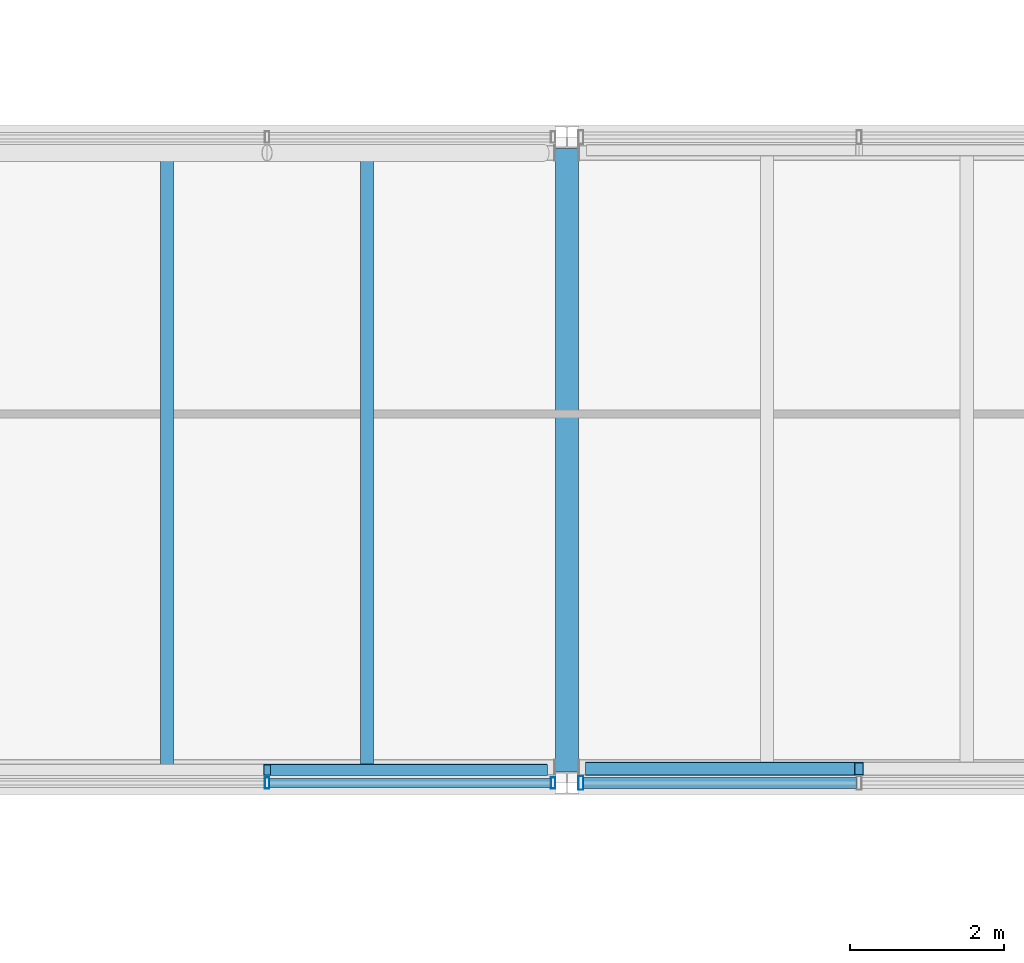
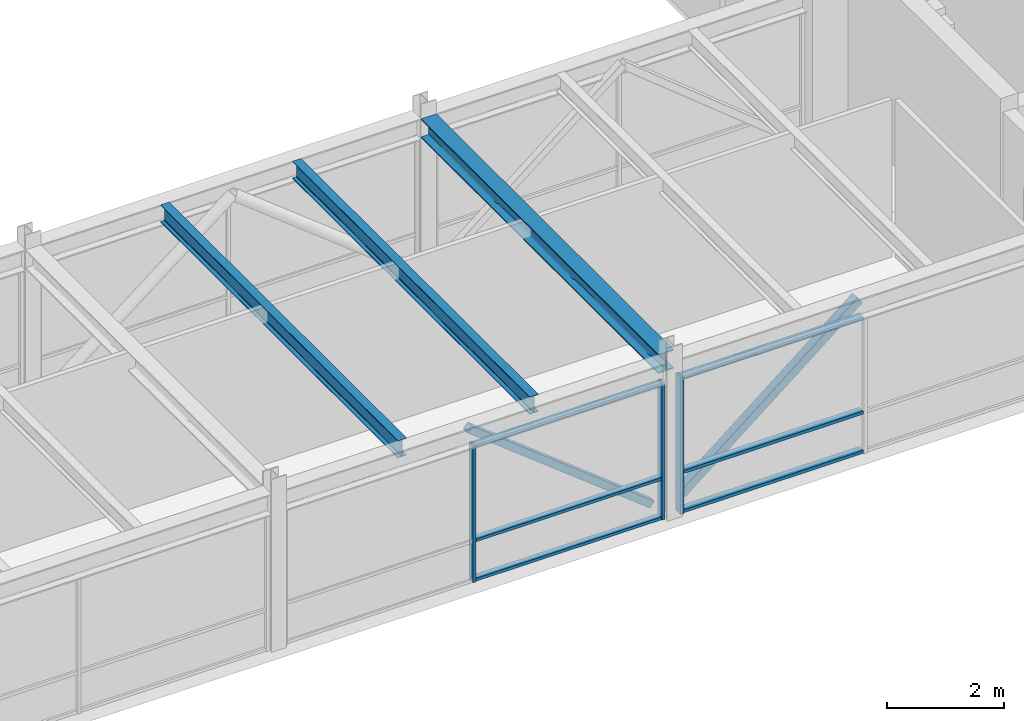
# One storey, part 23 of 49: 11 members, 3 beams, 2 elements without a shape of their own.
"""IFC4 building model written with IfcOpenShell, lengths in metres."""

from ifc_helpers import new_model, si_unit, direction, frame, origin, origin_2d, place, context, subcontext, project, spatial, hollow_rectangle, i_section, extrude, material, material_profile, profile_set, type_object, element, aggregate, save


model = new_model("IFC4")

# Units and contexts
model_context = context("Model", 3, precision=1e-05, world=origin(), true_north=direction((0.0, 1.0)))
body_context = subcontext(model_context, "Body", "Model", "MODEL_VIEW")
ifc_project = project(units=[si_unit("LENGTHUNIT", "METRE"), si_unit("AREAUNIT", "SQUARE_METRE"), si_unit("VOLUMEUNIT", "CUBIC_METRE"), si_unit("PLANEANGLEUNIT", "RADIAN"), si_unit("MASSUNIT", "GRAM", prefix="KILO"), si_unit("THERMODYNAMICTEMPERATUREUNIT", "KELVIN"), si_unit("POWERUNIT", "WATT")], contexts=[model_context])

# Site, building, storey
site_placement = place(None, origin())
site = spatial("IfcSite", under=ifc_project, at=site_placement, CompositionType="ELEMENT")
building_placement = place(site_placement, origin())
building = spatial("IfcBuilding", under=site, at=building_placement, Name="Srebrne Nadtorze General Hospital", CompositionType="ELEMENT")
storey_placement = place(building_placement, frame((0.0, 0.0, 26.10009765625)))
storey = spatial("IfcBuildingStorey", under=building, at=storey_placement, Name="L06", CompositionType="ELEMENT", Elevation=26.10009765625)

# Beam
ifc_material_1 = material(Name="Steel S355J2", Category="steel")
ifc_material_profile_1 = material_profile(ifc_material_1, i_section(OverallWidth=0.300048828125, OverallDepth=0.39990234375, WebThickness=0.013427734375, FlangeThickness=0.02392578125, FilletRadius=0.027099609375, at=origin_2d()), Name="HEB-400")
ifc_profile_set_1 = profile_set([ifc_material_profile_1], Name="Steel S355J2")
beam_type_1 = type_object("IfcBeamType", Name="Courtyard bridge girder HEB 400", PredefinedType="BEAM", material=ifc_profile_set_1)
beam_placement = place(storey_placement, frame((93.60009765625, 50.550048828125, 3.099853515625), z_axis=(0.0, 1.0, 0.0), x_axis=(-1.0, 0.0, 0.0)))
element("IfcBeam", 1, at=beam_placement, inside=storey, type_object=beam_type_1, Name="Beam BM-L06-Y-1221", PredefinedType="BEAM", context=body_context, shape_type="SweptSolid", body=[
    extrude(i_section(OverallWidth=0.300048828125, OverallDepth=0.39990234375, WebThickness=0.013427734375, FlangeThickness=0.02392578125, FilletRadius=0.027099609375, at=origin_2d()), origin(), (0.0, 0.0, 1.0), 8.099853515625),
])

# Curtain wall, members
ifc_material_2 = material(Name="Anodised Aluminium", Category="aluminium")
curtain_wall_type_1 = type_object("IfcCurtainWallType", Name="Bridge curtain wall 7500x2850", PredefinedType="NOTDEFINED", material=ifc_material_2)
curtain_wall_1_placement = place(storey_placement, origin())
curtain_wall_1 = element("IfcCurtainWall", 2, at=curtain_wall_1_placement, inside=storey, type_object=curtain_wall_type_1, Name="Curtain wall CW-142", PredefinedType="NOTDEFINED")
ifc_material_3 = material(Name="Anodised Aluminium", Category="aluminium")
ifc_material_profile_2 = material_profile(ifc_material_3, hollow_rectangle(XDim=0.06005859375, YDim=0.14990234375, WallThickness=0.00390625, at=origin_2d()), Name="AL-MUL-60x150")
ifc_profile_set_2 = profile_set([ifc_material_profile_2], Name="Anodised Aluminium")
member_type_1 = type_object("IfcMemberType", Name="Curtain mullion 60x150", PredefinedType="MULLION", material=ifc_profile_set_2)
member_1_placement = place(storey_placement, frame((89.699951171875, 50.39990234375, 0.0), z_axis=(0.0, 0.0, 1.0), x_axis=(1.0, 0.0, 0.0)))
member_1 = element("IfcMember", 3, at=member_1_placement, type_object=member_type_1, Name="CW-142 mullion 2", PredefinedType="MULLION", context=body_context, shape_type="SweptSolid", body=[
    extrude(hollow_rectangle(XDim=0.06005859375, YDim=0.14990234375, WallThickness=0.00390625, at=origin_2d()), origin(), (0.0, 0.0, 1.0), 2.849853515625),
])
member_2_placement = place(storey_placement, frame((93.419921875, 50.39990234375, 0.0), z_axis=(0.0, 0.0, 1.0), x_axis=(1.0, 0.0, 0.0)))
member_2 = element("IfcMember", 4, at=member_2_placement, type_object=member_type_1, Name="CW-142 mullion 3", PredefinedType="MULLION", context=body_context, shape_type="SweptSolid", body=[
    extrude(hollow_rectangle(XDim=0.06005859375, YDim=0.14990234375, WallThickness=0.00390625, at=origin_2d()), origin(), (0.0, 0.0, 1.0), 2.849853515625),
])

# Curtain wall, member
ifc_material_4 = material(Name="Anodised Aluminium", Category="aluminium")
curtain_wall_type_2 = type_object("IfcCurtainWallType", Name="Bridge curtain wall 7300x2850", PredefinedType="NOTDEFINED", material=ifc_material_4)
curtain_wall_2_placement = place(storey_placement, origin())
curtain_wall_2 = element("IfcCurtainWall", 5, at=curtain_wall_2_placement, inside=storey, type_object=curtain_wall_type_2, Name="Curtain wall CW-143", PredefinedType="NOTDEFINED")
ifc_material_5 = material(Name="Anodised Aluminium", Category="aluminium")
ifc_material_profile_3 = material_profile(ifc_material_5, hollow_rectangle(XDim=0.06494140625, YDim=0.179931640625, WallThickness=0.00390625, at=origin_2d()), Name="AL-MUL-65x180")
ifc_profile_set_3 = profile_set([ifc_material_profile_3], Name="Anodised Aluminium")
member_type_2 = type_object("IfcMemberType", Name="Curtain mullion 65x180", PredefinedType="MULLION", material=ifc_profile_set_3)
member_3_placement = place(storey_placement, frame((93.782470703125, 50.39990234375, 0.0), z_axis=(0.0, 0.0, 1.0), x_axis=(1.0, 0.0, 0.0)))
member_3 = element("IfcMember", 6, at=member_3_placement, type_object=member_type_2, Name="CW-143 mullion 1", PredefinedType="MULLION", context=body_context, shape_type="SweptSolid", body=[
    extrude(hollow_rectangle(XDim=0.06494140625, YDim=0.179931640625, WallThickness=0.00390625, at=origin_2d()), origin(), (0.0, 0.0, 1.0), 2.849853515625),
])

# Member
ifc_material_6 = material(Name="Anodised Aluminium", Category="aluminium")
ifc_material_profile_4 = material_profile(ifc_material_6, hollow_rectangle(XDim=0.06005859375, YDim=0.1201171875, WallThickness=0.00390625, at=origin_2d()), Name="AL-TRN-60x120")
ifc_profile_set_4 = profile_set([ifc_material_profile_4], Name="Anodised Aluminium")
member_type_3 = type_object("IfcMemberType", Name="Curtain transom 60x120", PredefinedType="USERDEFINED", material=ifc_profile_set_4)
member_4_placement = place(storey_placement, frame((89.72998046875, 50.39990234375, 0.02978515625), z_axis=(1.0, 0.0, 0.0), x_axis=(0.0, 0.0, 1.0)))
member_4 = element("IfcMember", 7, at=member_4_placement, type_object=member_type_3, Name="CW-142 transom 2.1", ObjectType="TRANSOM", PredefinedType="USERDEFINED", context=body_context, shape_type="SweptSolid", body=[
    extrude(hollow_rectangle(XDim=0.06005859375, YDim=0.1201171875, WallThickness=0.00390625, at=origin_2d()), origin(), (0.0, 0.0, 1.0), 3.659912109375),
])

member_5_placement = place(storey_placement, frame((89.72998046875, 50.39990234375, 0.849853515625), z_axis=(1.0, 0.0, 0.0), x_axis=(0.0, 0.0, 1.0)))
member_5 = element("IfcMember", 8, at=member_5_placement, type_object=member_type_3, Name="CW-142 transom 2.2", ObjectType="TRANSOM", PredefinedType="USERDEFINED", context=body_context, shape_type="SweptSolid", body=[
    extrude(hollow_rectangle(XDim=0.06005859375, YDim=0.1201171875, WallThickness=0.00390625, at=origin_2d()), origin(), (0.0, 0.0, 1.0), 3.659912109375),
])

member_6_placement = place(storey_placement, frame((89.72998046875, 50.39990234375, 2.81982421875), z_axis=(1.0, 0.0, 0.0), x_axis=(0.0, 0.0, 1.0)))
member_6 = element("IfcMember", 9, at=member_6_placement, type_object=member_type_3, Name="CW-142 transom 2.3", ObjectType="TRANSOM", PredefinedType="USERDEFINED", context=body_context, shape_type="SweptSolid", body=[
    extrude(hollow_rectangle(XDim=0.06005859375, YDim=0.1201171875, WallThickness=0.00390625, at=origin_2d()), origin(), (0.0, 0.0, 1.0), 3.659912109375),
])

aggregate(curtain_wall_1, [member_1, member_2, member_4, member_5, member_6])

ifc_material_7 = material(Name="Anodised Aluminium", Category="aluminium")
ifc_material_profile_5 = material_profile(ifc_material_7, hollow_rectangle(XDim=0.06494140625, YDim=0.139892578125, WallThickness=0.00390625, at=origin_2d()), Name="AL-TRN-65x140")
ifc_profile_set_5 = profile_set([ifc_material_profile_5], Name="Anodised Aluminium")
member_type_4 = type_object("IfcMemberType", Name="Curtain transom 65x140", PredefinedType="USERDEFINED", material=ifc_profile_set_5)
member_7_placement = place(storey_placement, frame((93.81494140625, 50.39990234375, 0.032470703125), z_axis=(1.0, 0.0, 0.0), x_axis=(0.0, 0.0, 1.0)))
member_7 = element("IfcMember", 10, at=member_7_placement, type_object=member_type_4, Name="CW-143 transom 1.1", ObjectType="TRANSOM", PredefinedType="USERDEFINED", context=body_context, shape_type="SweptSolid", body=[
    extrude(hollow_rectangle(XDim=0.06494140625, YDim=0.139892578125, WallThickness=0.00390625, at=origin_2d()), origin(), (0.0, 0.0, 1.0), 3.552490234375),
])

member_8_placement = place(storey_placement, frame((93.81494140625, 50.39990234375, 0.849853515625), z_axis=(1.0, 0.0, 0.0), x_axis=(0.0, 0.0, 1.0)))
member_8 = element("IfcMember", 11, at=member_8_placement, type_object=member_type_4, Name="CW-143 transom 1.2", ObjectType="TRANSOM", PredefinedType="USERDEFINED", context=body_context, shape_type="SweptSolid", body=[
    extrude(hollow_rectangle(XDim=0.06494140625, YDim=0.139892578125, WallThickness=0.00390625, at=origin_2d()), origin(), (0.0, 0.0, 1.0), 3.552490234375),
])

member_9_placement = place(storey_placement, frame((93.81494140625, 50.39990234375, 2.8173828125), z_axis=(1.0, 0.0, 0.0), x_axis=(0.0, 0.0, 1.0)))
member_9 = element("IfcMember", 12, at=member_9_placement, type_object=member_type_4, Name="CW-143 transom 1.3", ObjectType="TRANSOM", PredefinedType="USERDEFINED", context=body_context, shape_type="SweptSolid", body=[
    extrude(hollow_rectangle(XDim=0.06494140625, YDim=0.139892578125, WallThickness=0.00390625, at=origin_2d()), origin(), (0.0, 0.0, 1.0), 3.552490234375),
])

aggregate(curtain_wall_2, [member_3, member_7, member_8, member_9])

# Beams
ifc_material_8 = material(Name="Steel S355J2", Category="steel")
ifc_material_profile_6 = material_profile(ifc_material_8, i_section(OverallWidth=0.169921875, OverallDepth=0.360107421875, WebThickness=0.008056640625, FlangeThickness=0.0126953125, FilletRadius=0.01806640625, at=origin_2d()), Name="IPE-360")
ifc_profile_set_6 = profile_set([ifc_material_profile_6], Name="Steel S355J2")
beam_type_2 = type_object("IfcBeamType", Name="Deck joist IPE 360", PredefinedType="JOIST", material=ifc_profile_set_6)
for number, where, z_axis, x_axis, name in (
    (13, (88.39990234375, 50.544921875, 3.119873046875), (0.0, 1.0, 0.0), (-1.0, 0.0, 0.0), "Clinical courtyard bridge deck joist 172"),
    (14, (91.0, 50.544921875, 3.119873046875), (0.0, 1.0, 0.0), (-1.0, 0.0, 0.0), "Clinical courtyard bridge deck joist 173"),
):
    element("IfcBeam", number, at=place(storey_placement, frame(where, z_axis=z_axis, x_axis=x_axis)), inside=storey, type_object=beam_type_2, Name=name, PredefinedType="JOIST", context=body_context, shape_type="SweptSolid", body=[
        extrude(i_section(OverallWidth=0.169921875, OverallDepth=0.360107421875, WebThickness=0.008056640625, FlangeThickness=0.0126953125, FilletRadius=0.01806640625, at=origin_2d()), origin(), (0.0, 0.0, 1.0), 8.110107421875),
    ])

# Members
ifc_material_9 = material(Name="Steel S355J2", Category="steel")
ifc_material_profile_7 = material_profile(ifc_material_9, hollow_rectangle(XDim=0.179931640625, YDim=0.179931640625, WallThickness=0.008056640625, InnerFilletRadius=0.008056640625, OuterFilletRadius=0.011962890625, at=origin_2d()), Name="SHS-180x180x8")
ifc_profile_set_7 = profile_set([ifc_material_profile_7], Name="Steel S355J2")
member_type_5 = type_object("IfcMemberType", Name="Diagonal brace SHS 180x180x8", PredefinedType="BRACE", material=ifc_profile_set_7)
member_10_placement = place(storey_placement, frame((93.89990234375, 50.5849609375, 0.25), z_axis=(0.777624948613, 0.0, 0.628728430481), x_axis=(0.0, 1.0, 0.0)))
element("IfcMember", 15, at=member_10_placement, inside=storey, type_object=member_type_5, Name="Clinical courtyard bridge brace 35", PredefinedType="BRACE", context=body_context, shape_type="SweptSolid", body=[
    extrude(hollow_rectangle(XDim=0.179931640625, YDim=0.179931640625, WallThickness=0.008056640625, InnerFilletRadius=0.008056640625, OuterFilletRadius=0.011962890625, at=origin_2d()), origin(), (0.0, 0.0, 1.0), 4.5009765625),
])
ifc_material_10 = material(Name="Steel S355J2", Category="steel")
ifc_material_profile_8 = material_profile(ifc_material_10, hollow_rectangle(XDim=0.14990234375, YDim=0.14990234375, WallThickness=0.00634765625, InnerFilletRadius=0.006103515625, OuterFilletRadius=0.009033203125, at=origin_2d()), Name="SHS-150x150x6.3")
ifc_profile_set_8 = profile_set([ifc_material_profile_8], Name="Steel S355J2")
member_type_6 = type_object("IfcMemberType", Name="Wind brace SHS 150x150x6.3", PredefinedType="BRACE", material=ifc_profile_set_8)
member_11_placement = place(storey_placement, frame((93.300048828125, 50.570068359375, 0.25), z_axis=(-0.786192517778, 0.0, 0.61798165425), x_axis=(0.0, -1.0, 0.0)))
element("IfcMember", 16, at=member_11_placement, inside=storey, type_object=member_type_6, Name="Clinical courtyard bridge brace 34", PredefinedType="BRACE", context=body_context, shape_type="SweptSolid", body=[
    extrude(hollow_rectangle(XDim=0.14990234375, YDim=0.14990234375, WallThickness=0.00634765625, InnerFilletRadius=0.006103515625, OuterFilletRadius=0.009033203125, at=origin_2d()), origin(), (0.0, 0.0, 1.0), 4.5791015625),
])

save(model, "model.ifc")
